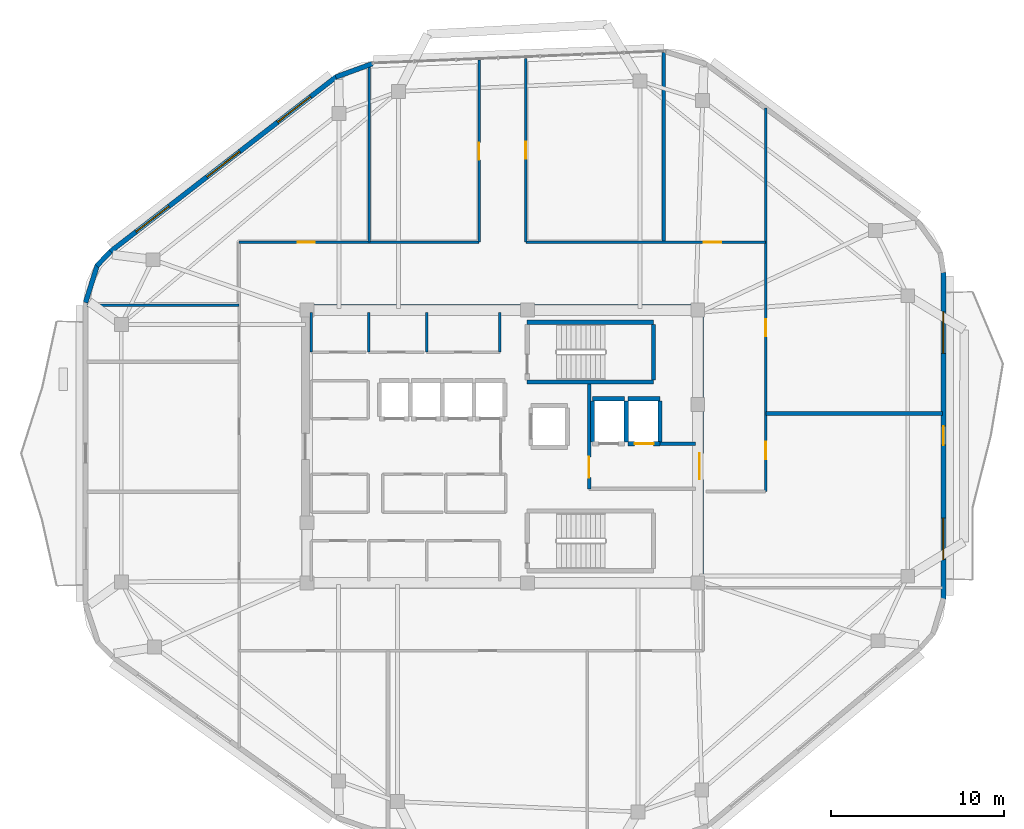
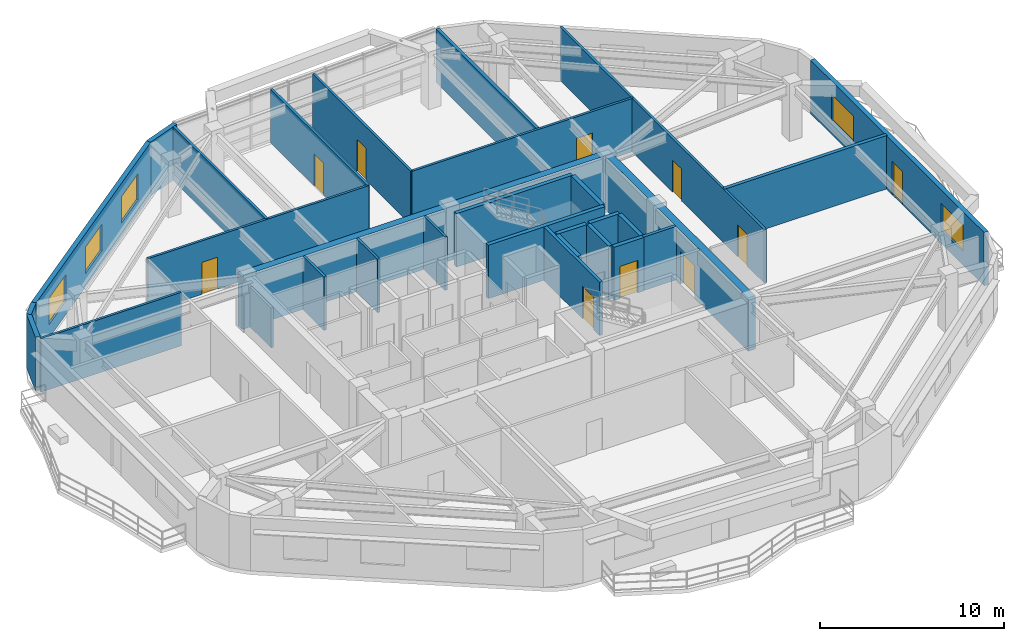
# One storey, part 8 of 12: 31 walls, 10 doors, 5 windows, 15 openings.
"""IFC4 building model written with IfcOpenShell, lengths in metres."""

from ifc_helpers import new_model, si_unit, direction, frame, frame_2d, origin, place, context, subcontext, project, spatial, rectangle, extrude, material, layer, layer_set, type_object, element, fill, save


model = new_model("IFC4")

# Units and contexts
model_context = context("Model", 3, precision=1e-05, world=origin(), true_north=direction((0.0, 1.0)))
body_context = subcontext(model_context, "Body", "Model", "MODEL_VIEW")
ifc_project = project(units=[si_unit("LENGTHUNIT", "METRE"), si_unit("AREAUNIT", "SQUARE_METRE"), si_unit("VOLUMEUNIT", "CUBIC_METRE"), si_unit("PLANEANGLEUNIT", "RADIAN"), si_unit("MASSUNIT", "GRAM", prefix="KILO")], contexts=[model_context])

# Site, building, storey
site_placement = place(None, origin())
site = spatial("IfcSite", under=ifc_project, at=site_placement, CompositionType="ELEMENT")
building_placement = place(site_placement, origin())
building = spatial("IfcBuilding", under=site, at=building_placement, Name="Zulverin Broadcast Headquarters", CompositionType="ELEMENT")
storey_placement = place(building_placement, frame((0.0, 0.0, 293.39990234375)))
storey = spatial("IfcBuildingStorey", under=building, at=storey_placement, Name="L75", CompositionType="ELEMENT", Elevation=293.39990234375)

# Walls
ifc_material_1 = material(Name="Acoustic drywall steel stud", Category="steel")
ifc_layer_1 = layer(ifc_material_1, 0.199951171875, Name="Acoustic drywall steel stud", Category="steel")
ifc_layer_set_1 = layer_set([ifc_layer_1], Name="Acoustic drywall steel stud")
wall_type_1 = type_object("IfcWallType", Name="WL-ACOU-200", PredefinedType="PARTITIONING", material=ifc_layer_set_1)
wall_1_placement = place(storey_placement, frame((46.300048828125, 37.0, 0.0), z_axis=(0.0, 0.0, 1.0), x_axis=(0.0, 1.0, 0.0)))
element("IfcWall", 1, at=wall_1_placement, inside=storey, type_object=wall_type_1, Name="L75 Room Partition Wall RP-03", PredefinedType="PARTITIONING", context=body_context, shape_type="SweptSolid", body=[
    extrude(rectangle(XDim=10.935302734375, YDim=0.199951171875, at=frame_2d((5.4677734375, 0.0))), origin(), (0.0, 0.0, 1.0), 3.5400390625),
])
ifc_material_2 = material(Name="Double-stud acoustic drywall", Category="gypsum")
ifc_layer_2 = layer(ifc_material_2, 0.219970703125, Name="Double-stud acoustic drywall", Category="gypsum")
ifc_layer_set_2 = layer_set([ifc_layer_2], Name="Double-stud acoustic drywall")
wall_type_2 = type_object("IfcWallType", Name="WL-ACOU-220", PredefinedType="PARTITIONING", material=ifc_layer_set_2)
wall_2_placement = place(storey_placement, frame((52.200927734375, 27.10009765625, 0.0), z_axis=(0.0, 0.0, 1.0), x_axis=(1.0, 0.0, 0.0)))
element("IfcWall", 2, at=wall_2_placement, inside=storey, type_object=wall_type_2, Name="L75 Room Partition Wall RP-14", PredefinedType="PARTITIONING", context=body_context, shape_type="SweptSolid", body=[
    extrude(rectangle(XDim=10.194091796875, YDim=0.219970703125, at=frame_2d((5.09716796875, 0.0))), origin(), (0.0, 0.0, 1.0), 3.5400390625),
])
ifc_material_3 = material(Name="Concrete C50/60", Category="concrete")
ifc_layer_3 = layer(ifc_material_3, 0.449951171875, Name="Concrete C50/60", Category="concrete")
ifc_layer_set_3 = layer_set([ifc_layer_3], Name="Concrete C50/60")
wall_type_3 = type_object("IfcWallType", Name="WL-CORE-450", PredefinedType="SHEAR", material=ifc_layer_set_3)
wall_3_placement = place(storey_placement, frame((25.39990234375, 33.175048828125, 0.0), z_axis=(0.0, 0.0, 1.0), x_axis=(1.0, 0.0, 0.0)))
element("IfcWall", 3, at=wall_3_placement, inside=storey, type_object=wall_type_3, Name="L75 Core North Shear Wall", PredefinedType="SHEAR", context=body_context, shape_type="SweptSolid", body=[
    extrude(rectangle(XDim=23.2001953125, YDim=0.449951171875, at=frame_2d((11.60009765625, 0.0))), origin(), (0.0, 0.0, 1.0), 3.5400390625),
])

# Wall, opening, door
wall_4_placement = place(storey_placement, frame((48.375, 17.449951171875, 0.0), z_axis=(0.0, 0.0, 1.0), x_axis=(0.0, 1.0, 0.0)))
wall_4 = element("IfcWall", 4, at=wall_4_placement, inside=storey, type_object=wall_type_3, Name="L75 Core East Shear Wall", PredefinedType="SHEAR", context=body_context, shape_type="SweptSolid", body=[
    extrude(rectangle(XDim=15.5, YDim=0.449951171875, at=frame_2d((7.75, 0.0))), origin(), (0.0, 0.0, 1.0), 3.5400390625),
])
opening_1_placement = place(wall_4_placement, frame((5.85009765625, 0.0, 0.0)))
opening_1 = element("IfcOpeningElement", 5, at=opening_1_placement, cuts=wall_4, Name="Opening D-L75-CE1", PredefinedType="OPENING", context=body_context, shape_type="SweptSolid", body=[
    extrude(rectangle(XDim=1.5, YDim=2.14990234375, at=frame_2d((0.75, 1.074951171875))), frame((0.0, 0.23486328125, 0.0), z_axis=(0.0, -1.0, 0.0), x_axis=(1.0, 0.0, 0.0)), (0.0, 0.0, 1.0), 0.469970703125),
])
ifc_material_4 = material(Name="Fire-rated glazed steel frame", Category="steel")
door_type_1 = type_object("IfcDoorType", Name="DR-COR-1500", OperationType="DOUBLE_DOOR_SINGLE_SWING", PredefinedType="DOOR", material=ifc_material_4)
door_1_placement = place(opening_1_placement, origin())
door_1 = element("IfcDoor", 6, at=door_1_placement, inside=storey, type_object=door_type_1, Name="L75 Firefighting Lobby East Corridor Door", OperationType="DOUBLE_DOOR_SINGLE_SWING", OverallHeight=2.14990234375, OverallWidth=1.5, PredefinedType="DOOR", context=body_context, shape_type="SweptSolid", body=[
    extrude(rectangle(XDim=1.5, YDim=2.14990234375, at=frame_2d((0.75, 1.074951171875))), frame((0.0, 0.02490234375, 0.0), z_axis=(0.0, -1.0, 0.0), x_axis=(1.0, 0.0, 0.0)), (0.0, 0.0, 1.0), 0.050048828125),
])
fill(opening_1, door_1)

# Wall, openings, door, windows
ifc_material_5 = material(Name="Insulated pale-metal clad concrete spandrel C40/50", Category="concrete")
ifc_layer_4 = layer(ifc_material_5, 0.280029296875, Name="Insulated pale-metal clad concrete spandrel C40/50", Category="concrete")
ifc_layer_set_4 = layer_set([ifc_layer_4], Name="Insulated pale-metal clad concrete spandrel C40/50")
wall_type_4 = type_object("IfcWallType", Name="WL-EXT-280", PredefinedType="STANDARD", material=ifc_layer_set_4)
wall_5_placement = place(storey_placement, frame((62.4599609375, 16.3955078125, 0.0), z_axis=(0.0, 0.0, 1.0), x_axis=(0.0, 1.0, 0.0)))
wall_5 = element("IfcWall", 7, at=wall_5_placement, inside=storey, type_object=wall_type_4, Name="L75 Pale-Metal Clad Spandrel Wall 3", PredefinedType="STANDARD", context=body_context, shape_type="SweptSolid", body=[
    extrude(rectangle(XDim=18.8544921875, YDim=0.280029296875, at=frame_2d((9.42724609375, 0.0))), origin(), (0.0, 0.0, 1.0), 3.5400390625),
])
opening_2_placement = place(wall_5_placement, frame((8.877197265625, 0.0, 0.0)))
opening_2 = element("IfcOpeningElement", 8, at=opening_2_placement, cuts=wall_5, Name="Opening D-L75-TR3", PredefinedType="OPENING", context=body_context, shape_type="SweptSolid", body=[
    extrude(rectangle(XDim=1.10009765625, YDim=2.199951171875, at=frame_2d((0.550048828125, 1.10009765625))), frame((0.0, 0.14990234375, 0.0), z_axis=(0.0, -1.0, 0.0), x_axis=(1.0, 0.0, 0.0)), (0.0, 0.0, 1.0), 0.300048828125),
])
opening_3_placement = place(wall_5_placement, frame((2.27587890625, 0.0, 0.89990234375)))
opening_3 = element("IfcOpeningElement", 9, at=opening_3_placement, cuts=wall_5, Name="Opening W-L75-E31", PredefinedType="OPENING", context=body_context, shape_type="SweptSolid", body=[
    extrude(rectangle(XDim=2.39990234375, YDim=1.75, at=frame_2d((1.199951171875, 0.875))), frame((0.0, 0.14990234375, 0.0), z_axis=(0.0, -1.0, 0.0), x_axis=(1.0, 0.0, 0.0)), (0.0, 0.0, 1.0), 0.300048828125),
])
opening_4_placement = place(wall_5_placement, frame((14.1787109375, 0.0, 0.89990234375)))
opening_4 = element("IfcOpeningElement", 10, at=opening_4_placement, cuts=wall_5, Name="Opening W-L75-E32", PredefinedType="OPENING", context=body_context, shape_type="SweptSolid", body=[
    extrude(rectangle(XDim=2.39990234375, YDim=1.75, at=frame_2d((1.199951171875, 0.875))), frame((0.0, 0.14990234375, 0.0), z_axis=(0.0, -1.0, 0.0), x_axis=(1.0, 0.0, 0.0)), (0.0, 0.0, 1.0), 0.300048828125),
])
ifc_material_6 = material(Name="Thermally broken aluminium glazed", Category="aluminium")
door_type_2 = type_object("IfcDoorType", Name="DR-TERR-1100", OperationType="SINGLE_SWING_RIGHT", PredefinedType="DOOR", material=ifc_material_6)
door_2_placement = place(opening_2_placement, origin())
door_2 = element("IfcDoor", 11, at=door_2_placement, inside=storey, type_object=door_type_2, Name="L75 Planted Terrace Glazed Access Door 3", OperationType="SINGLE_SWING_RIGHT", OverallHeight=2.199951171875, OverallWidth=1.10009765625, PredefinedType="DOOR", context=body_context, shape_type="SweptSolid", body=[
    extrude(rectangle(XDim=1.10009765625, YDim=2.199951171875, at=frame_2d((0.550048828125, 1.10009765625))), frame((0.0, 0.02490234375, 0.0), z_axis=(0.0, -1.0, 0.0), x_axis=(1.0, 0.0, 0.0)), (0.0, 0.0, 1.0), 0.050048828125),
])
fill(opening_2, door_2)
ifc_material_7 = material(Name="Pale anodized aluminium frame with solar-control low-E double glazing", Category="aluminium")
window_type = type_object("IfcWindowType", Name="WIN-RIB-2400", PartitioningType="SINGLE_PANEL", PredefinedType="WINDOW", material=ifc_material_7)
window_1_placement = place(opening_3_placement, origin())
window_1 = element("IfcWindow", 12, at=window_1_placement, inside=storey, type_object=window_type, Name="L75 Ribbon Glazing Window 3 1", OverallHeight=1.75, OverallWidth=2.39990234375, PartitioningType="SINGLE_PANEL", PredefinedType="WINDOW", context=body_context, shape_type="SweptSolid", body=[
    extrude(rectangle(XDim=2.39990234375, YDim=1.75, at=frame_2d((1.199951171875, 0.875))), frame((0.0, 0.030029296875, 0.0), z_axis=(0.0, -1.0, 0.0), x_axis=(1.0, 0.0, 0.0)), (0.0, 0.0, 1.0), 0.06005859375),
])
fill(opening_3, window_1)
window_2_placement = place(opening_4_placement, origin())
window_2 = element("IfcWindow", 13, at=window_2_placement, inside=storey, type_object=window_type, Name="L75 Ribbon Glazing Window 3 2", OverallHeight=1.75, OverallWidth=2.39990234375, PartitioningType="SINGLE_PANEL", PredefinedType="WINDOW", context=body_context, shape_type="SweptSolid", body=[
    extrude(rectangle(XDim=2.39990234375, YDim=1.75, at=frame_2d((1.199951171875, 0.875))), frame((0.0, 0.030029296875, 0.0), z_axis=(0.0, -1.0, 0.0), x_axis=(1.0, 0.0, 0.0)), (0.0, 0.0, 1.0), 0.06005859375),
])
fill(opening_4, window_2)

# Wall, openings, windows
wall_6_placement = place(storey_placement, frame((27.4150390625, 46.54736328125, 0.0), z_axis=(0.0, 0.0, 1.0), x_axis=(-0.790789745248, -0.612087884875, 0.0)))
wall_6 = element("IfcWall", 14, at=wall_6_placement, inside=storey, type_object=wall_type_4, Name="L75 Pale-Metal Clad Spandrel Wall 6", PredefinedType="STANDARD", context=body_context, shape_type="SweptSolid", body=[
    extrude(rectangle(XDim=16.509033203125, YDim=0.280029296875, at=frame_2d((8.25439453125, 0.0))), origin(), (0.0, 0.0, 1.0), 3.5400390625),
])
opening_5_placement = place(wall_6_placement, frame((1.885009765625, 0.0, 0.89990234375)))
opening_5 = element("IfcOpeningElement", 15, at=opening_5_placement, cuts=wall_6, Name="Opening W-L75-E61", PredefinedType="OPENING", context=body_context, shape_type="SweptSolid", body=[
    extrude(rectangle(XDim=2.39990234375, YDim=1.75, at=frame_2d((1.199951171875, 0.875))), frame((0.0, 0.14990234375, 0.0), z_axis=(0.0, -1.0, 0.0), x_axis=(1.0, 0.0, 0.0)), (0.0, 0.0, 1.0), 0.300048828125),
])
opening_6_placement = place(wall_6_placement, frame((7.0546875, 0.0, 0.89990234375)))
opening_6 = element("IfcOpeningElement", 16, at=opening_6_placement, cuts=wall_6, Name="Opening W-L75-E62", PredefinedType="OPENING", context=body_context, shape_type="SweptSolid", body=[
    extrude(rectangle(XDim=2.39990234375, YDim=1.75, at=frame_2d((1.199951171875, 0.875))), frame((0.0, 0.14990234375, 0.0), z_axis=(0.0, -1.0, 0.0), x_axis=(1.0, 0.0, 0.0)), (0.0, 0.0, 1.0), 0.300048828125),
])
opening_7_placement = place(wall_6_placement, frame((12.224365234375, 0.0, 0.89990234375)))
opening_7 = element("IfcOpeningElement", 17, at=opening_7_placement, cuts=wall_6, Name="Opening W-L75-E63", PredefinedType="OPENING", context=body_context, shape_type="SweptSolid", body=[
    extrude(rectangle(XDim=2.39990234375, YDim=1.75, at=frame_2d((1.199951171875, 0.875))), frame((0.0, 0.14990234375, 0.0), z_axis=(0.0, -1.0, 0.0), x_axis=(1.0, 0.0, 0.0)), (0.0, 0.0, 1.0), 0.300048828125),
])
window_3_placement = place(opening_5_placement, origin())
window_3 = element("IfcWindow", 18, at=window_3_placement, inside=storey, type_object=window_type, Name="L75 Ribbon Glazing Window 6 1", OverallHeight=1.75, OverallWidth=2.39990234375, PartitioningType="SINGLE_PANEL", PredefinedType="WINDOW", context=body_context, shape_type="SweptSolid", body=[
    extrude(rectangle(XDim=2.39990234375, YDim=1.75, at=frame_2d((1.199951171875, 0.875))), frame((0.0, 0.030029296875, 0.0), z_axis=(0.0, -1.0, 0.0), x_axis=(1.0, 0.0, 0.0)), (0.0, 0.0, 1.0), 0.06005859375),
])
fill(opening_5, window_3)
window_4_placement = place(opening_6_placement, origin())
window_4 = element("IfcWindow", 19, at=window_4_placement, inside=storey, type_object=window_type, Name="L75 Ribbon Glazing Window 6 2", OverallHeight=1.75, OverallWidth=2.39990234375, PartitioningType="SINGLE_PANEL", PredefinedType="WINDOW", context=body_context, shape_type="SweptSolid", body=[
    extrude(rectangle(XDim=2.39990234375, YDim=1.75, at=frame_2d((1.199951171875, 0.875))), frame((0.0, 0.030029296875, 0.0), z_axis=(0.0, -1.0, 0.0), x_axis=(1.0, 0.0, 0.0)), (0.0, 0.0, 1.0), 0.06005859375),
])
fill(opening_6, window_4)
window_5_placement = place(opening_7_placement, origin())
window_5 = element("IfcWindow", 20, at=window_5_placement, inside=storey, type_object=window_type, Name="L75 Ribbon Glazing Window 6 3", OverallHeight=1.75, OverallWidth=2.39990234375, PartitioningType="SINGLE_PANEL", PredefinedType="WINDOW", context=body_context, shape_type="SweptSolid", body=[
    extrude(rectangle(XDim=2.39990234375, YDim=1.75, at=frame_2d((1.199951171875, 0.875))), frame((0.0, 0.030029296875, 0.0), z_axis=(0.0, -1.0, 0.0), x_axis=(1.0, 0.0, 0.0)), (0.0, 0.0, 1.0), 0.06005859375),
])
fill(opening_7, window_5)

# Walls
wall_7_placement = place(storey_placement, frame((29.486083984375, 47.2958984375, 0.0), z_axis=(0.0, 0.0, 1.0), x_axis=(-0.939434048497, -0.342729731019, 0.0)))
element("IfcWall", 21, at=wall_7_placement, inside=storey, type_object=wall_type_4, Name="L75 Wind-Shaped Corner Spandrel Wall 5-1", PredefinedType="STANDARD", context=body_context, shape_type="SweptSolid", body=[
    extrude(rectangle(XDim=2.24462890625, YDim=0.280029296875, at=frame_2d((1.122314453125, 0.0))), origin(), (0.0, 0.0, 1.0), 3.5400390625),
])
wall_8_placement = place(storey_placement, frame((14.37548828125, 36.45654296875, 0.0), z_axis=(0.0, 0.0, 1.0), x_axis=(-0.68895569752, -0.724803453948, 0.0)))
element("IfcWall", 22, at=wall_8_placement, inside=storey, type_object=wall_type_4, Name="L75 Wind-Shaped Corner Spandrel Wall 6-1", PredefinedType="STANDARD", context=body_context, shape_type="SweptSolid", body=[
    extrude(rectangle(XDim=1.15087890625, YDim=0.280029296875, at=frame_2d((0.575439453125, 0.0))), origin(), (0.0, 0.0, 1.0), 3.5400390625),
])
wall_9_placement = place(storey_placement, frame((13.61474609375, 35.677001953125, 0.0), z_axis=(0.0, 0.0, 1.0), x_axis=(-0.299374552426, -0.954135670311, 0.0)))
element("IfcWall", 23, at=wall_9_placement, inside=storey, type_object=wall_type_4, Name="L75 Wind-Shaped Corner Spandrel Wall 6-2", PredefinedType="STANDARD", context=body_context, shape_type="SweptSolid", body=[
    extrude(rectangle(XDim=2.275146484375, YDim=0.280029296875, at=frame_2d((1.1376953125, 0.0))), origin(), (0.0, 0.0, 1.0), 3.5400390625),
])

# Wall, opening, door
ifc_material_8 = material(Name="Concrete C40/50", Category="concrete")
ifc_layer_5 = layer(ifc_material_8, 0.199951171875, Name="Concrete C40/50", Category="concrete")
ifc_layer_set_5 = layer_set([ifc_layer_5], Name="Concrete C40/50")
wall_type_5 = type_object("IfcWallType", Name="WL-FFL-200", PredefinedType="SOLIDWALL", material=ifc_layer_set_5)
wall_10_placement = place(storey_placement, frame((42.0, 22.75, 0.0), z_axis=(0.0, 0.0, 1.0), x_axis=(0.0, 1.0, 0.0)))
wall_10 = element("IfcWall", 24, at=wall_10_placement, inside=storey, type_object=wall_type_5, Name="L75 Firefighting Lift Lobby West Wall", PredefinedType="SOLIDWALL", context=body_context, shape_type="SweptSolid", body=[
    extrude(rectangle(XDim=6.050048828125, YDim=0.199951171875, at=frame_2d((3.02490234375, 0.0))), origin(), (0.0, 0.0, 1.0), 3.5400390625),
])
opening_8_placement = place(wall_10_placement, frame((0.64990234375, 0.0, 0.0)))
opening_8 = element("IfcOpeningElement", 25, at=opening_8_placement, cuts=wall_10, Name="Opening D-L75-FFLW", PredefinedType="OPENING", context=body_context, shape_type="SweptSolid", body=[
    extrude(rectangle(XDim=1.199951171875, YDim=2.14990234375, at=frame_2d((0.60009765625, 1.074951171875))), frame((0.0, 0.10986328125, 0.0), z_axis=(0.0, -1.0, 0.0), x_axis=(1.0, 0.0, 0.0)), (0.0, 0.0, 1.0), 0.219970703125),
])
ifc_material_9 = material(Name="Fire-rated steel leaf and frame", Category="steel")
door_type_3 = type_object("IfcDoorType", Name="DR-FFL-1200", OperationType="SINGLE_SWING_RIGHT", PredefinedType="DOOR", material=ifc_material_9)
door_3_placement = place(opening_8_placement, origin())
door_3 = element("IfcDoor", 26, at=door_3_placement, inside=storey, type_object=door_type_3, Name="L75 Firefighting Lift Lobby Door", OperationType="SINGLE_SWING_RIGHT", OverallHeight=2.14990234375, OverallWidth=1.199951171875, PredefinedType="DOOR", context=body_context, shape_type="SweptSolid", body=[
    extrude(rectangle(XDim=1.199951171875, YDim=2.14990234375, at=frame_2d((0.60009765625, 1.074951171875))), frame((0.0, 0.02490234375, 0.0), z_axis=(0.0, -1.0, 0.0), x_axis=(1.0, 0.0, 0.0)), (0.0, 0.0, 1.0), 0.050048828125),
])
fill(opening_8, door_3)

# Walls
wall_11_placement = place(storey_placement, frame((46.10009765625, 25.35009765625, 0.0), z_axis=(0.0, 0.0, 1.0), x_axis=(1.0, 0.0, 0.0)))
element("IfcWall", 27, at=wall_11_placement, inside=storey, type_object=wall_type_5, Name="L75 Firefighting Lift Lobby North Wall", PredefinedType="SOLIDWALL", context=body_context, shape_type="SweptSolid", body=[
    extrude(rectangle(XDim=2.0498046875, YDim=0.199951171875, at=frame_2d((1.02490234375, 0.0))), origin(), (0.0, 0.0, 1.0), 3.5400390625),
])
ifc_material_10 = material(Name="Fire-rated gypsum stud partition", Category="gypsum")
ifc_layer_6 = layer(ifc_material_10, 0.14990234375, Name="Fire-rated gypsum stud partition", Category="gypsum")
ifc_layer_set_6 = layer_set([ifc_layer_6], Name="Fire-rated gypsum stud partition")
wall_type_6 = type_object("IfcWallType", Name="WL-PART-150", PredefinedType="PARTITIONING", material=ifc_layer_set_6)
wall_12_placement = place(storey_placement, frame((25.969970703125, 30.64990234375, 0.0), z_axis=(0.0, 0.0, 1.0), x_axis=(0.0, 1.0, 0.0)))
element("IfcWall", 28, at=wall_12_placement, inside=storey, type_object=wall_type_6, Name="L75 Core Male WC West Wall", PredefinedType="PARTITIONING", context=body_context, shape_type="SweptSolid", body=[
    extrude(rectangle(XDim=2.300048828125, YDim=0.14990234375, at=frame_2d((1.14990234375, 0.0))), origin(), (0.0, 0.0, 1.0), 2.64013671875),
])
for number, where, z_axis, x_axis, name in (
    (29, (29.280029296875, 30.64990234375, 0.0), (0.0, 0.0, 1.0), (0.0, 1.0, 0.0), "L75 Core Accessible WC West Wall"),
    (30, (32.6298828125, 30.64990234375, 0.0), (0.0, 0.0, 1.0), (0.0, 1.0, 0.0), "L75 Core Electrical Distribution Riser West Wall"),
    (31, (36.85009765625, 30.64990234375, 0.0), (0.0, 0.0, 1.0), (0.0, 1.0, 0.0), "L75 Core Electrical Distribution Riser East Wall"),
):
    element("IfcWall", number, at=place(storey_placement, frame(where, z_axis=z_axis, x_axis=x_axis)), inside=storey, type_object=wall_type_6, Name=name, PredefinedType="PARTITIONING", context=body_context, shape_type="SweptSolid", body=[
        extrude(rectangle(XDim=2.300048828125, YDim=0.14990234375, at=frame_2d((1.14990234375, 0.0))), origin(), (0.0, 0.0, 1.0), 3.5400390625),
    ])

# Wall, openings, doors
wall_13_placement = place(storey_placement, frame((52.199951171875, 22.60009765625, 0.0), z_axis=(0.0, 0.0, 1.0), x_axis=(0.0, 1.0, 0.0)))
wall_13 = element("IfcWall", 32, at=wall_13_placement, inside=storey, type_object=wall_type_6, Name="L75 Gallery Partition Wall CG-01", PredefinedType="PARTITIONING", context=body_context, shape_type="SweptSolid", body=[
    extrude(rectangle(XDim=22.152587890625, YDim=0.14990234375, at=frame_2d((11.076171875, 0.0))), origin(), (0.0, 0.0, 1.0), 3.5400390625),
])
opening_9_placement = place(wall_13_placement, frame((1.8701171875, 0.0, 0.0)))
opening_9 = element("IfcOpeningElement", 33, at=opening_9_placement, cuts=wall_13, Name="Opening D-L75-11", PredefinedType="OPENING", context=body_context, shape_type="SweptSolid", body=[
    extrude(rectangle(XDim=1.0, YDim=2.1201171875, at=frame_2d((0.5, 1.06005859375))), frame((0.0, 0.0849609375, 0.0), z_axis=(0.0, -1.0, 0.0), x_axis=(1.0, 0.0, 0.0)), (0.0, 0.0, 1.0), 0.169921875),
])
opening_10_placement = place(wall_13_placement, frame((8.949951171875, 0.0, 0.0)))
opening_10 = element("IfcOpeningElement", 34, at=opening_10_placement, cuts=wall_13, Name="Opening D-L75-12", PredefinedType="OPENING", context=body_context, shape_type="SweptSolid", body=[
    extrude(rectangle(XDim=1.0, YDim=2.1201171875, at=frame_2d((0.5, 1.06005859375))), frame((0.0, 0.0849609375, 0.0), z_axis=(0.0, -1.0, 0.0), x_axis=(1.0, 0.0, 0.0)), (0.0, 0.0, 1.0), 0.169921875),
])
ifc_material_11 = material(Name="Hardwood veneer acoustic leaf", Category="wood")
door_type_4 = type_object("IfcDoorType", Name="DR-OFF-1000", OperationType="SINGLE_SWING_LEFT", PredefinedType="DOOR", material=ifc_material_11)
door_4_placement = place(opening_9_placement, origin())
door_4 = element("IfcDoor", 35, at=door_4_placement, inside=storey, type_object=door_type_4, Name="L75 Chairman Suite Office Door", OperationType="SINGLE_SWING_RIGHT", OverallHeight=2.1201171875, OverallWidth=1.0, PredefinedType="DOOR", context=body_context, shape_type="SweptSolid", body=[
    extrude(rectangle(XDim=1.0, YDim=2.1201171875, at=frame_2d((0.5, 1.06005859375))), frame((0.0, 0.02490234375, 0.0), z_axis=(0.0, -1.0, 0.0), x_axis=(1.0, 0.0, 0.0)), (0.0, 0.0, 1.0), 0.050048828125),
])
fill(opening_9, door_4)
door_5_placement = place(opening_10_placement, origin())
door_5 = element("IfcDoor", 36, at=door_5_placement, inside=storey, type_object=door_type_4, Name="L75 Chief Engineer Office Door", OperationType="SINGLE_SWING_LEFT", OverallHeight=2.1201171875, OverallWidth=1.0, PredefinedType="DOOR", context=body_context, shape_type="SweptSolid", body=[
    extrude(rectangle(XDim=1.0, YDim=2.1201171875, at=frame_2d((0.5, 1.06005859375))), frame((0.0, 0.02490234375, 0.0), z_axis=(0.0, -1.0, 0.0), x_axis=(1.0, 0.0, 0.0)), (0.0, 0.0, 1.0), 0.050048828125),
])
fill(opening_10, door_5)

# Wall, opening, door
wall_14_placement = place(storey_placement, frame((38.35009765625, 37.0, 0.0), z_axis=(0.0, 0.0, 1.0), x_axis=(0.0, 1.0, 0.0)))
wall_14 = element("IfcWall", 37, at=wall_14_placement, inside=storey, type_object=wall_type_6, Name="L75 Gallery Partition Wall CG-05", PredefinedType="PARTITIONING", context=body_context, shape_type="SweptSolid", body=[
    extrude(rectangle(XDim=10.608642578125, YDim=0.14990234375, at=frame_2d((5.30419921875, 0.0))), origin(), (0.0, 0.0, 1.0), 3.5400390625),
])
opening_11_placement = place(wall_14_placement, frame((4.80419921875, 0.0, 0.0)))
opening_11 = element("IfcOpeningElement", 38, at=opening_11_placement, cuts=wall_14, Name="Opening D-L75-03", PredefinedType="OPENING", context=body_context, shape_type="SweptSolid", body=[
    extrude(rectangle(XDim=1.0, YDim=2.1201171875, at=frame_2d((0.5, 1.06005859375))), frame((0.0, 0.0849609375, 0.0), z_axis=(0.0, -1.0, 0.0), x_axis=(1.0, 0.0, 0.0)), (0.0, 0.0, 1.0), 0.169921875),
])
door_6_placement = place(opening_11_placement, origin())
door_6 = element("IfcDoor", 39, at=door_6_placement, inside=storey, type_object=door_type_4, Name="L75 General Counsel Office Door", OperationType="SINGLE_SWING_RIGHT", OverallHeight=2.1201171875, OverallWidth=1.0, PredefinedType="DOOR", context=body_context, shape_type="SweptSolid", body=[
    extrude(rectangle(XDim=1.0, YDim=2.1201171875, at=frame_2d((0.5, 1.06005859375))), frame((0.0, 0.02490234375, 0.0), z_axis=(0.0, -1.0, 0.0), x_axis=(1.0, 0.0, 0.0)), (0.0, 0.0, 1.0), 0.050048828125),
])
fill(opening_11, door_6)

wall_15_placement = place(storey_placement, frame((35.64990234375, 37.0, 0.0), z_axis=(0.0, 0.0, 1.0), x_axis=(0.0, 1.0, 0.0)))
wall_15 = element("IfcWall", 40, at=wall_15_placement, inside=storey, type_object=wall_type_6, Name="L75 Gallery Partition Wall CG-06", PredefinedType="PARTITIONING", context=body_context, shape_type="SweptSolid", body=[
    extrude(rectangle(XDim=10.49755859375, YDim=0.14990234375, at=frame_2d((5.248779296875, 0.0))), origin(), (0.0, 0.0, 1.0), 3.5400390625),
])
opening_12_placement = place(wall_15_placement, frame((4.748779296875, 0.0, 0.0)))
opening_12 = element("IfcOpeningElement", 41, at=opening_12_placement, cuts=wall_15, Name="Opening D-L75-02", PredefinedType="OPENING", context=body_context, shape_type="SweptSolid", body=[
    extrude(rectangle(XDim=1.0, YDim=2.1201171875, at=frame_2d((0.5, 1.06005859375))), frame((0.0, 0.0849609375, 0.0), z_axis=(0.0, -1.0, 0.0), x_axis=(1.0, 0.0, 0.0)), (0.0, 0.0, 1.0), 0.169921875),
])
door_7_placement = place(opening_12_placement, origin())
door_7 = element("IfcDoor", 42, at=door_7_placement, inside=storey, type_object=door_type_4, Name="L75 Chief Engineer Office Door", OperationType="SINGLE_SWING_LEFT", OverallHeight=2.1201171875, OverallWidth=1.0, PredefinedType="DOOR", context=body_context, shape_type="SweptSolid", body=[
    extrude(rectangle(XDim=1.0, YDim=2.1201171875, at=frame_2d((0.5, 1.06005859375))), frame((0.0, 0.02490234375, 0.0), z_axis=(0.0, -1.0, 0.0), x_axis=(1.0, 0.0, 0.0)), (0.0, 0.0, 1.0), 0.050048828125),
])
fill(opening_12, door_7)

# Walls
wall_16_placement = place(storey_placement, frame((29.300048828125, 37.0, 0.0), z_axis=(0.0, 0.0, 1.0), x_axis=(0.0, 1.0, 0.0)))
element("IfcWall", 43, at=wall_16_placement, inside=storey, type_object=wall_type_6, Name="L75 Room Partition Wall RP-08", PredefinedType="PARTITIONING", context=body_context, shape_type="SweptSolid", body=[
    extrude(rectangle(XDim=10.2158203125, YDim=0.14990234375, at=frame_2d((5.10791015625, 0.0))), origin(), (0.0, 0.0, 1.0), 3.5400390625),
])
wall_17_placement = place(storey_placement, frame((13.0048828125, 33.35009765625, 0.0), z_axis=(0.0, 0.0, 1.0), x_axis=(1.0, 0.0, 0.0)))
element("IfcWall", 44, at=wall_17_placement, inside=storey, type_object=wall_type_6, Name="L75 Room Partition Wall RP-16", PredefinedType="PARTITIONING", context=body_context, shape_type="SweptSolid", body=[
    extrude(rectangle(XDim=8.795166015625, YDim=0.14990234375, at=frame_2d((4.3974609375, 0.0))), origin(), (0.0, 0.0, 1.0), 3.5400390625),
])

# Wall, opening, door
wall_18_placement = place(storey_placement, frame((21.800048828125, 37.0, 0.0), z_axis=(0.0, 0.0, 1.0), x_axis=(1.0, 0.0, 0.0)))
wall_18 = element("IfcWall", 45, at=wall_18_placement, inside=storey, type_object=wall_type_6, Name="L75 Gallery Partition Wall CG-17", PredefinedType="PARTITIONING", context=body_context, shape_type="SweptSolid", body=[
    extrude(rectangle(XDim=13.849853515625, YDim=0.14990234375, at=frame_2d((6.9248046875, 0.0))), origin(), (0.0, 0.0, 1.0), 3.5400390625),
])
opening_13_placement = place(wall_18_placement, frame((3.3701171875, 0.0, 0.0)))
opening_13 = element("IfcOpeningElement", 46, at=opening_13_placement, cuts=wall_18, Name="Opening D-L75-01", PredefinedType="OPENING", context=body_context, shape_type="SweptSolid", body=[
    extrude(rectangle(XDim=1.0, YDim=2.1201171875, at=frame_2d((0.5, 1.06005859375))), frame((0.0, 0.0849609375, 0.0), z_axis=(0.0, -1.0, 0.0), x_axis=(1.0, 0.0, 0.0)), (0.0, 0.0, 1.0), 0.169921875),
])
door_8_placement = place(opening_13_placement, origin())
door_8 = element("IfcDoor", 47, at=door_8_placement, inside=storey, type_object=door_type_4, Name="L75 Chairman Suite Office Door", OperationType="SINGLE_SWING_RIGHT", OverallHeight=2.1201171875, OverallWidth=1.0, PredefinedType="DOOR", context=body_context, shape_type="SweptSolid", body=[
    extrude(rectangle(XDim=1.0, YDim=2.1201171875, at=frame_2d((0.5, 1.06005859375))), frame((0.0, 0.02490234375, 0.0), z_axis=(0.0, -1.0, 0.0), x_axis=(1.0, 0.0, 0.0)), (0.0, 0.0, 1.0), 0.050048828125),
])
fill(opening_13, door_8)

wall_19_placement = place(storey_placement, frame((38.35009765625, 37.0, 0.0), z_axis=(0.0, 0.0, 1.0), x_axis=(1.0, 0.0, 0.0)))
wall_19 = element("IfcWall", 48, at=wall_19_placement, inside=storey, type_object=wall_type_6, Name="L75 Gallery Partition Wall CG-18", PredefinedType="PARTITIONING", context=body_context, shape_type="SweptSolid", body=[
    extrude(rectangle(XDim=13.849853515625, YDim=0.14990234375, at=frame_2d((6.9248046875, 0.0))), origin(), (0.0, 0.0, 1.0), 3.5400390625),
])
opening_14_placement = place(wall_19_placement, frame((10.280029296875, 0.0, 0.0)))
opening_14 = element("IfcOpeningElement", 49, at=opening_14_placement, cuts=wall_19, Name="Opening D-L75-04", PredefinedType="OPENING", context=body_context, shape_type="SweptSolid", body=[
    extrude(rectangle(XDim=1.0, YDim=2.1201171875, at=frame_2d((0.5, 1.06005859375))), frame((0.0, 0.0849609375, 0.0), z_axis=(0.0, -1.0, 0.0), x_axis=(1.0, 0.0, 0.0)), (0.0, 0.0, 1.0), 0.169921875),
])
door_9_placement = place(opening_14_placement, origin())
door_9 = element("IfcDoor", 50, at=door_9_placement, inside=storey, type_object=door_type_4, Name="L75 Director Office Door", OperationType="SINGLE_SWING_LEFT", OverallHeight=2.1201171875, OverallWidth=1.0, PredefinedType="DOOR", context=body_context, shape_type="SweptSolid", body=[
    extrude(rectangle(XDim=1.0, YDim=2.1201171875, at=frame_2d((0.5, 1.06005859375))), frame((0.0, 0.02490234375, 0.0), z_axis=(0.0, -1.0, 0.0), x_axis=(1.0, 0.0, 0.0)), (0.0, 0.0, 1.0), 0.050048828125),
])
fill(opening_14, door_9)

# Walls
ifc_layer_7 = layer(ifc_material_3, 0.25, Name="Concrete C50/60", Category="concrete")
ifc_layer_set_7 = layer_set([ifc_layer_7], Name="Concrete C50/60")
wall_type_7 = type_object("IfcWallType", Name="WL-SHAFT-250", PredefinedType="SHEAR", material=ifc_layer_set_7)
for number, where, z_axis, x_axis, name in (
    (51, (38.425048828125, 28.925048828125, 0.0), (0.0, 0.0, 1.0), (1.0, 0.0, 0.0), "L75 ST-1 Enclosure Wall S"),
    (52, (38.425048828125, 32.375, 0.0), (0.0, 0.0, 1.0), (1.0, 0.0, 0.0), "L75 ST-1 Enclosure Wall N"),
):
    element("IfcWall", number, at=place(storey_placement, frame(where, z_axis=z_axis, x_axis=x_axis)), inside=storey, type_object=wall_type_7, Name=name, PredefinedType="SHEAR", context=body_context, shape_type="SweptSolid", body=[
        extrude(rectangle(XDim=7.300048828125, YDim=0.25, at=frame_2d((3.64990234375, 0.0))), origin(), (0.0, 0.0, 1.0), 3.5400390625),
    ])
wall_20_placement = place(storey_placement, frame((45.72509765625, 29.050048828125, 0.0), z_axis=(0.0, 0.0, 1.0), x_axis=(0.0, 1.0, 0.0)))
element("IfcWall", 53, at=wall_20_placement, inside=storey, type_object=wall_type_7, Name="L75 ST-1 Enclosure Wall E", PredefinedType="SHEAR", context=body_context, shape_type="SweptSolid", body=[
    extrude(rectangle(XDim=3.199951171875, YDim=0.25, at=frame_2d((1.60009765625, 0.0))), origin(), (0.0, 0.0, 1.0), 3.5400390625),
])
wall_21_placement = place(storey_placement, frame((42.199951171875, 27.949951171875, 0.0), z_axis=(0.0, 0.0, 1.0), x_axis=(1.0, 0.0, 0.0)))
element("IfcWall", 54, at=wall_21_placement, inside=storey, type_object=wall_type_7, Name="L75 Lift FFL-1 Shaft Wall N", PredefinedType="SHEAR", context=body_context, shape_type="SweptSolid", body=[
    extrude(rectangle(XDim=1.85009765625, YDim=0.25, at=frame_2d((0.925048828125, 0.0))), origin(), (0.0, 0.0, 1.0), 3.5400390625),
])
for number, where, z_axis, x_axis, name in (
    (55, (42.199951171875, 25.469970703125, 0.0), (0.0, 0.0, 1.0), (0.0, 1.0, 0.0), "L75 Lift FFL-1 Shaft Wall W"),
    (56, (44.14990234375, 25.469970703125, 0.0), (0.0, 0.0, 1.0), (0.0, 1.0, 0.0), "L75 Lift FFL-1 Shaft Wall E"),
):
    element("IfcWall", number, at=place(storey_placement, frame(where, z_axis=z_axis, x_axis=x_axis)), inside=storey, type_object=wall_type_7, Name=name, PredefinedType="SHEAR", context=body_context, shape_type="SweptSolid", body=[
        extrude(rectangle(XDim=2.360107421875, YDim=0.25, at=frame_2d((1.18017578125, 0.0))), origin(), (0.0, 0.0, 1.0), 3.5400390625),
    ])

# Wall, opening, door
wall_22_placement = place(storey_placement, frame((44.25, 25.35009765625, 0.0), z_axis=(0.0, 0.0, 1.0), x_axis=(1.0, 0.0, 0.0)))
wall_22 = element("IfcWall", 57, at=wall_22_placement, inside=storey, type_object=wall_type_7, Name="L75 Lift FFL-2 Shaft Wall S", PredefinedType="SHEAR", context=body_context, shape_type="SweptSolid", body=[
    extrude(rectangle(XDim=1.85009765625, YDim=0.25, at=frame_2d((0.925048828125, 0.0))), origin(), (0.0, 0.0, 1.0), 3.5400390625),
])
opening_15_placement = place(wall_22_placement, frame((0.375, 0.0, 0.0)))
opening_15 = element("IfcOpeningElement", 58, at=opening_15_placement, cuts=wall_22, Name="Opening LD-FFL-2-L75", PredefinedType="OPENING", context=body_context, shape_type="SweptSolid", body=[
    extrude(rectangle(XDim=1.10009765625, YDim=2.14990234375, at=frame_2d((0.550048828125, 1.074951171875))), frame((0.0, 0.135009765625, 0.0), z_axis=(0.0, -1.0, 0.0), x_axis=(1.0, 0.0, 0.0)), (0.0, 0.0, 1.0), 0.27001953125),
])
ifc_material_12 = material(Name="Fire-rated stainless landing door", Category="steel")
door_type_5 = type_object("IfcDoorType", Name="LD-FFL-1100", OperationType="DOUBLE_DOOR_SLIDING", PredefinedType="DOOR", material=ifc_material_12)
door_10_placement = place(opening_15_placement, origin())
door_10 = element("IfcDoor", 59, at=door_10_placement, inside=storey, type_object=door_type_5, Name="L75 Lift FFL-2 Sliding Landing Door", OperationType="DOUBLE_DOOR_SLIDING", OverallHeight=2.14990234375, OverallWidth=1.10009765625, PredefinedType="DOOR", context=body_context, shape_type="SweptSolid", body=[
    extrude(rectangle(XDim=1.10009765625, YDim=2.14990234375, at=frame_2d((0.550048828125, 1.074951171875))), frame((0.0, 0.02490234375, 0.0), z_axis=(0.0, -1.0, 0.0), x_axis=(1.0, 0.0, 0.0)), (0.0, 0.0, 1.0), 0.050048828125),
])
fill(opening_15, door_10)

# Walls
wall_23_placement = place(storey_placement, frame((44.25, 27.949951171875, 0.0), z_axis=(0.0, 0.0, 1.0), x_axis=(1.0, 0.0, 0.0)))
element("IfcWall", 60, at=wall_23_placement, inside=storey, type_object=wall_type_7, Name="L75 Lift FFL-2 Shaft Wall N", PredefinedType="SHEAR", context=body_context, shape_type="SweptSolid", body=[
    extrude(rectangle(XDim=1.85009765625, YDim=0.25, at=frame_2d((0.925048828125, 0.0))), origin(), (0.0, 0.0, 1.0), 3.5400390625),
])
wall_24_placement = place(storey_placement, frame((46.10009765625, 25.469970703125, 0.0), z_axis=(0.0, 0.0, 1.0), x_axis=(0.0, 1.0, 0.0)))
element("IfcWall", 61, at=wall_24_placement, inside=storey, type_object=wall_type_7, Name="L75 Lift FFL-2 Shaft Wall E", PredefinedType="SHEAR", context=body_context, shape_type="SweptSolid", body=[
    extrude(rectangle(XDim=2.360107421875, YDim=0.25, at=frame_2d((1.18017578125, 0.0))), origin(), (0.0, 0.0, 1.0), 3.5400390625),
])

save(model, "model.ifc")
